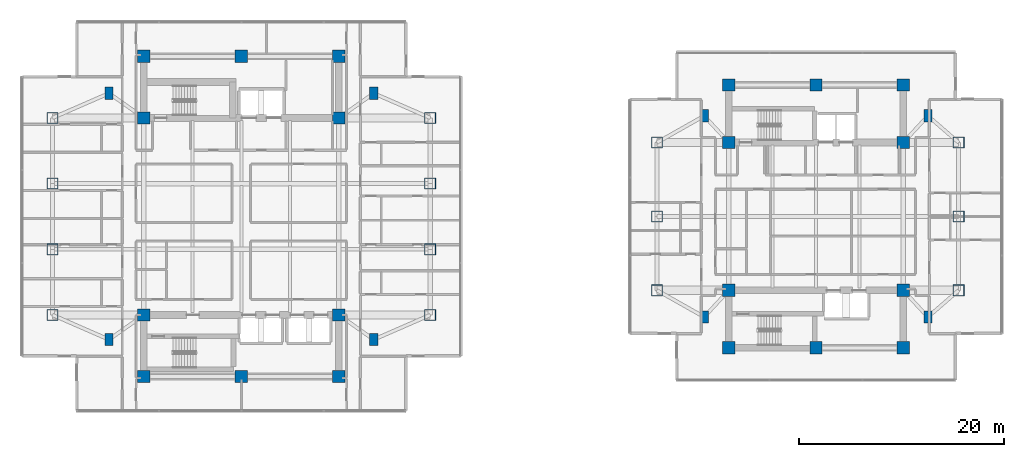
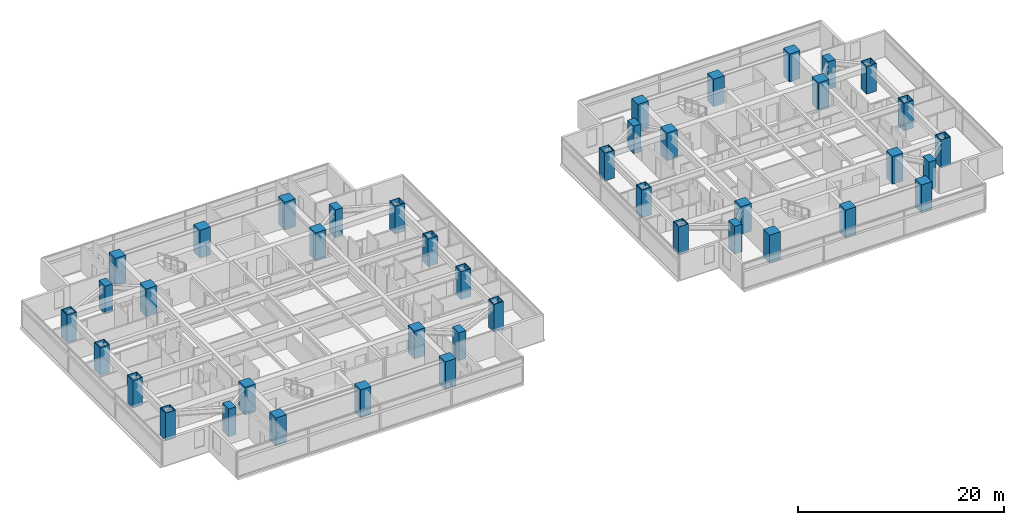
# One storey, part 1 of 24: 42 columns.
"""IFC4 building model written with IfcOpenShell, lengths in metres."""

from ifc_helpers import new_model, si_unit, direction, frame, origin, origin_2d, place, context, subcontext, project, spatial, rectangle, hollow_rectangle, extrude, material, material_profile, profile_set, type_object, element, save


model = new_model("IFC4")

# Units and contexts
model_context = context("Model", 3, precision=1e-05, world=origin(), true_north=direction((0.0, 1.0)))
body_context = subcontext(model_context, "Body", "Model", "MODEL_VIEW")
ifc_project = project(units=[si_unit("LENGTHUNIT", "METRE"), si_unit("AREAUNIT", "SQUARE_METRE"), si_unit("VOLUMEUNIT", "CUBIC_METRE"), si_unit("PLANEANGLEUNIT", "RADIAN"), si_unit("MASSUNIT", "GRAM", prefix="KILO")], contexts=[model_context])

# Site, building, storey
site_placement = place(None, origin())
site = spatial("IfcSite", under=ifc_project, at=site_placement, CompositionType="ELEMENT")
building_placement = place(site_placement, origin())
building = spatial("IfcBuilding", under=site, at=building_placement, Name="Mirazonda Arch Towers", CompositionType="ELEMENT")
storey_placement = place(building_placement, frame((0.0, 0.0, 101.60009765625)))
storey = spatial("IfcBuildingStorey", under=building, at=storey_placement, Name="L28", CompositionType="ELEMENT", Elevation=101.60009765625)

# Columns
ifc_material_1 = material(Name="Concrete C50/60", Category="concrete")
ifc_material_profile_1 = material_profile(ifc_material_1, rectangle(XDim=1.199951171875, YDim=1.199951171875, at=origin_2d()), Name="RC1200x1200")
ifc_profile_set_1 = profile_set([ifc_material_profile_1], Name="Concrete C50/60")
column_type_1 = type_object("IfcColumnType", Name="COL-INT-RC1200x1200", PredefinedType="COLUMN", material=ifc_profile_set_1)
for number, where, z_axis, x_axis, name in (
    (1, (11.0, 12.39990234375, 0.0), (0.0, 0.0, 1.0), (1.0, 0.0, 0.0), "L28 T1 Core Column 01"),
    (2, (20.5, 12.39990234375, 0.0), (0.0, 0.0, 1.0), (1.0, 0.0, 0.0), "L28 T1 Core Column 02"),
    (3, (30.0, 12.39990234375, 0.0), (0.0, 0.0, 1.0), (1.0, 0.0, 0.0), "L28 T1 Core Column 03"),
    (4, (11.0, 18.39990234375, 0.0), (0.0, 0.0, 1.0), (1.0, 0.0, 0.0), "L28 T1 Core Column 04"),
    (5, (30.0, 18.39990234375, 0.0), (0.0, 0.0, 1.0), (1.0, 0.0, 0.0), "L28 T1 Core Column 05"),
    (6, (11.0, 37.60009765625, 0.0), (0.0, 0.0, 1.0), (1.0, 0.0, 0.0), "L28 T1 Core Column 06"),
    (7, (30.0, 37.60009765625, 0.0), (0.0, 0.0, 1.0), (1.0, 0.0, 0.0), "L28 T1 Core Column 07"),
    (8, (11.0, 43.60009765625, 0.0), (0.0, 0.0, 1.0), (1.0, 0.0, 0.0), "L28 T1 Core Column 08"),
    (9, (20.5, 43.60009765625, 0.0), (0.0, 0.0, 1.0), (1.0, 0.0, 0.0), "L28 T1 Core Column 09"),
    (10, (30.0, 43.60009765625, 0.0), (0.0, 0.0, 1.0), (1.0, 0.0, 0.0), "L28 T1 Core Column 10"),
    (11, (68.0, 15.199951171875, 0.0), (0.0, 0.0, 1.0), (1.0, 0.0, 0.0), "L28 T2 Core Column 01"),
    (12, (76.5, 15.199951171875, 0.0), (0.0, 0.0, 1.0), (1.0, 0.0, 0.0), "L28 T2 Core Column 02"),
    (13, (85.0, 15.199951171875, 0.0), (0.0, 0.0, 1.0), (1.0, 0.0, 0.0), "L28 T2 Core Column 03"),
    (14, (68.0, 20.800048828125, 0.0), (0.0, 0.0, 1.0), (1.0, 0.0, 0.0), "L28 T2 Core Column 04"),
    (15, (85.0, 20.800048828125, 0.0), (0.0, 0.0, 1.0), (1.0, 0.0, 0.0), "L28 T2 Core Column 05"),
    (16, (68.0, 35.199951171875, 0.0), (0.0, 0.0, 1.0), (1.0, 0.0, 0.0), "L28 T2 Core Column 06"),
    (17, (85.0, 35.199951171875, 0.0), (0.0, 0.0, 1.0), (1.0, 0.0, 0.0), "L28 T2 Core Column 07"),
    (18, (68.0, 40.800048828125, 0.0), (0.0, 0.0, 1.0), (1.0, 0.0, 0.0), "L28 T2 Core Column 08"),
    (19, (76.5, 40.800048828125, 0.0), (0.0, 0.0, 1.0), (1.0, 0.0, 0.0), "L28 T2 Core Column 09"),
    (20, (85.0, 40.800048828125, 0.0), (0.0, 0.0, 1.0), (1.0, 0.0, 0.0), "L28 T2 Core Column 10"),
):
    element("IfcColumn", number, at=place(storey_placement, frame(where, z_axis=z_axis, x_axis=x_axis)), inside=storey, type_object=column_type_1, Name=name, PredefinedType="COLUMN", context=body_context, shape_type="SweptSolid", body=[
        extrude(rectangle(XDim=1.199951171875, YDim=1.199951171875, at=origin_2d()), origin(), (0.0, 0.0, 1.0), 3.2998046875),
    ])
ifc_material_2 = material(Name="Steel ASTM A572 Grade 50", Category="steel")
ifc_material_profile_2 = material_profile(ifc_material_2, hollow_rectangle(XDim=1.10009765625, YDim=1.10009765625, WallThickness=0.06005859375, at=origin_2d()), Name="BOX1100x1100x60")
ifc_profile_set_2 = profile_set([ifc_material_profile_2], Name="Steel ASTM A572 Grade 50")
column_type_2 = type_object("IfcColumnType", Name="MCOL-EXT-BOX1100x1100x60", PredefinedType="COLUMN", material=ifc_profile_set_2)
for number, where, z_axis, x_axis, name in (
    (21, (2.10009765625, 18.39990234375, 0.0), (0.0, 0.0, 1.0), (1.0, 0.0, 0.0), "L28 T1 Composite Mega-Column 01"),
    (22, (2.10009765625, 24.800048828125, 0.0), (0.0, 0.0, 1.0), (1.0, 0.0, 0.0), "L28 T1 Composite Mega-Column 02"),
    (23, (2.10009765625, 31.199951171875, 0.0), (0.0, 0.0, 1.0), (1.0, 0.0, 0.0), "L28 T1 Composite Mega-Column 03"),
    (24, (2.10009765625, 37.60009765625, 0.0), (0.0, 0.0, 1.0), (1.0, 0.0, 0.0), "L28 T1 Composite Mega-Column 04"),
    (25, (38.89990234375, 18.39990234375, 0.0), (0.0, 0.0, 1.0), (1.0, 0.0, 0.0), "L28 T1 Composite Mega-Column 05"),
    (26, (38.89990234375, 24.800048828125, 0.0), (0.0, 0.0, 1.0), (1.0, 0.0, 0.0), "L28 T1 Composite Mega-Column 06"),
    (27, (38.89990234375, 31.199951171875, 0.0), (0.0, 0.0, 1.0), (1.0, 0.0, 0.0), "L28 T1 Composite Mega-Column 07"),
    (28, (38.89990234375, 37.60009765625, 0.0), (0.0, 0.0, 1.0), (1.0, 0.0, 0.0), "L28 T1 Composite Mega-Column 08"),
    (29, (61.0, 20.800048828125, 0.0), (0.0, 0.0, 1.0), (1.0, 0.0, 0.0), "L28 T2 Composite Mega-Column 01"),
    (30, (61.0, 28.0, 0.0), (0.0, 0.0, 1.0), (1.0, 0.0, 0.0), "L28 T2 Composite Mega-Column 02"),
    (31, (61.0, 35.199951171875, 0.0), (0.0, 0.0, 1.0), (1.0, 0.0, 0.0), "L28 T2 Composite Mega-Column 03"),
    (32, (90.39990234375, 20.800048828125, 0.0), (0.0, 0.0, 1.0), (1.0, 0.0, 0.0), "L28 T2 Composite Mega-Column 04"),
    (33, (90.39990234375, 28.0, 0.0), (0.0, 0.0, 1.0), (1.0, 0.0, 0.0), "L28 T2 Composite Mega-Column 05"),
    (34, (90.39990234375, 35.199951171875, 0.0), (0.0, 0.0, 1.0), (1.0, 0.0, 0.0), "L28 T2 Composite Mega-Column 06"),
):
    element("IfcColumn", number, at=place(storey_placement, frame(where, z_axis=z_axis, x_axis=x_axis)), inside=storey, type_object=column_type_2, Name=name, PredefinedType="COLUMN", context=body_context, shape_type="SweptSolid", body=[
        extrude(hollow_rectangle(XDim=1.10009765625, YDim=1.10009765625, WallThickness=0.06005859375, at=origin_2d()), origin(), (0.0, 0.0, 1.0), 3.2998046875),
    ])
ifc_material_3 = material(Name="Concrete C60/75", Category="concrete")
ifc_material_profile_3 = material_profile(ifc_material_3, rectangle(XDim=0.800048828125, YDim=1.199951171875, at=origin_2d()), Name="RC1200x800")
ifc_profile_set_3 = profile_set([ifc_material_profile_3], Name="Concrete C60/75")
column_type_3 = type_object("IfcColumnType", Name="PIL-EXT-RC1200x800", PredefinedType="PILASTER", material=ifc_profile_set_3)
for number, where, z_axis, x_axis, name in (
    (35, (7.60009765625, 16.0, 0.0), (0.0, 0.0, 1.0), (1.0, 0.0, 0.0), "L28 T1 Corner Pilaster 01"),
    (36, (33.39990234375, 16.0, 0.0), (0.0, 0.0, 1.0), (1.0, 0.0, 0.0), "L28 T1 Corner Pilaster 02"),
    (37, (7.60009765625, 40.0, 0.0), (0.0, 0.0, 1.0), (1.0, 0.0, 0.0), "L28 T1 Corner Pilaster 03"),
    (38, (33.39990234375, 40.0, 0.0), (0.0, 0.0, 1.0), (1.0, 0.0, 0.0), "L28 T1 Corner Pilaster 04"),
    (39, (65.60009765625, 18.199951171875, 0.0), (0.0, 0.0, 1.0), (1.0, 0.0, 0.0), "L28 T2 Corner Pilaster 01"),
    (40, (87.39990234375, 18.199951171875, 0.0), (0.0, 0.0, 1.0), (1.0, 0.0, 0.0), "L28 T2 Corner Pilaster 02"),
    (41, (65.60009765625, 37.800048828125, 0.0), (0.0, 0.0, 1.0), (1.0, 0.0, 0.0), "L28 T2 Corner Pilaster 03"),
    (42, (87.39990234375, 37.800048828125, 0.0), (0.0, 0.0, 1.0), (1.0, 0.0, 0.0), "L28 T2 Corner Pilaster 04"),
):
    element("IfcColumn", number, at=place(storey_placement, frame(where, z_axis=z_axis, x_axis=x_axis)), inside=storey, type_object=column_type_3, Name=name, PredefinedType="PILASTER", context=body_context, shape_type="SweptSolid", body=[
        extrude(rectangle(XDim=0.800048828125, YDim=1.199951171875, at=origin_2d()), origin(), (0.0, 0.0, 1.0), 3.2998046875),
    ])

save(model, "model.ifc")
